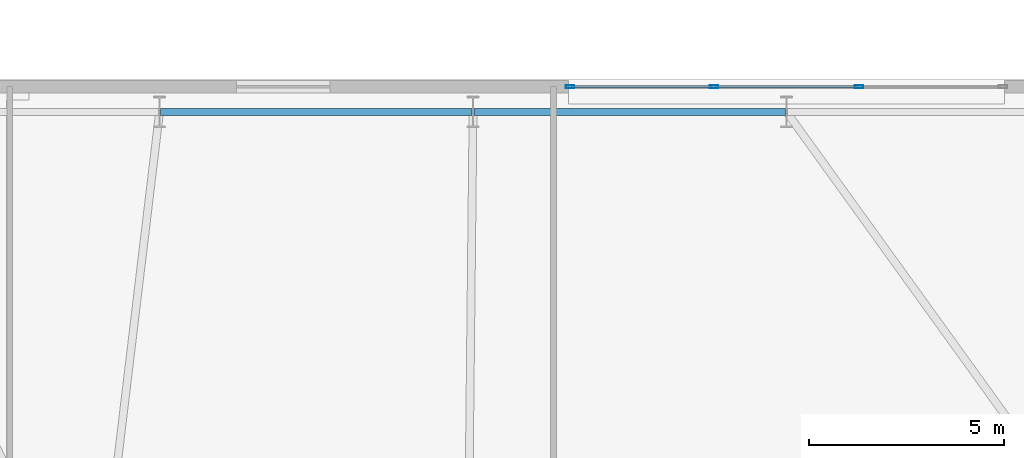
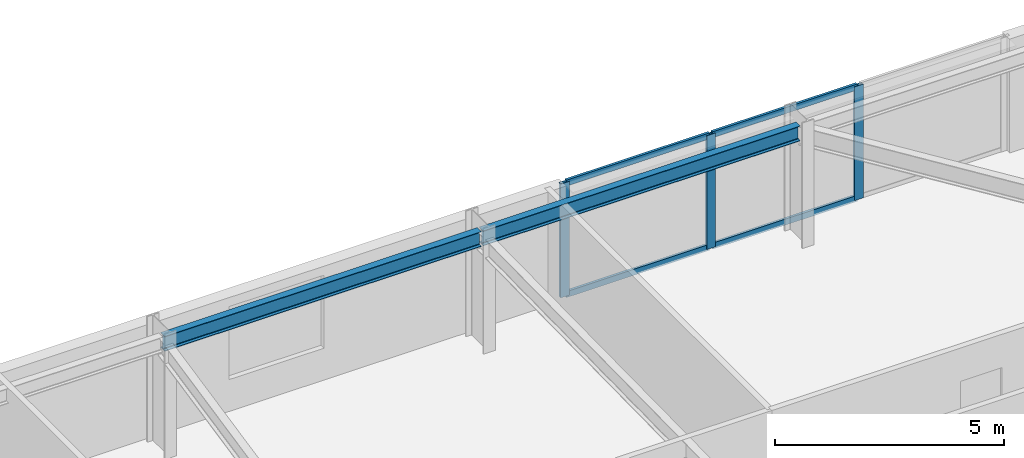
# One storey, part 8 of 18: 7 members, 2 beams, 1 element without a shape of its own.
"""IFC4 building model written with IfcOpenShell, lengths in metres."""

from ifc_helpers import new_model, si_unit, direction, frame, origin, origin_2d, place, context, subcontext, project, spatial, hollow_rectangle, i_section, extrude, material, layer, layer_set, material_profile, profile_set, type_object, element, aggregate, save


model = new_model("IFC4")

# Units and contexts
model_context = context("Model", 3, precision=1e-05, world=origin(), true_north=direction((0.0, 1.0)))
body_context = subcontext(model_context, "Body", "Model", "MODEL_VIEW")
ifc_project = project(units=[si_unit("LENGTHUNIT", "METRE"), si_unit("AREAUNIT", "SQUARE_METRE"), si_unit("VOLUMEUNIT", "CUBIC_METRE"), si_unit("PLANEANGLEUNIT", "RADIAN"), si_unit("MASSUNIT", "GRAM", prefix="KILO")], contexts=[model_context])

# Site, building, storey
site_placement = place(None, origin())
site = spatial("IfcSite", under=ifc_project, at=site_placement, CompositionType="ELEMENT")
building_placement = place(site_placement, origin())
building = spatial("IfcBuilding", under=site, at=building_placement, Name="Qobustan Lattice House", CompositionType="ELEMENT")
storey_placement = place(building_placement, frame((0.0, 0.0, 151.10009765625)))
storey = spatial("IfcBuildingStorey", under=building, at=storey_placement, Name="L42", CompositionType="ELEMENT", Elevation=151.10009765625)

# Beams
ifc_material_1 = material(Name="Steel S355", Category="steel")
ifc_material_profile_1 = material_profile(ifc_material_1, i_section(OverallWidth=0.179931640625, OverallDepth=0.39990234375, WebThickness=0.008544921875, FlangeThickness=0.013427734375, FilletRadius=0.02099609375, at=origin_2d()), Name="IPE400")
ifc_profile_set_1 = profile_set([ifc_material_profile_1], Name="Steel S355")
beam_type = type_object("IfcBeamType", Name="BM-SPD-IPE400", PredefinedType="SPANDREL", material=ifc_profile_set_1)
for number, where, z_axis, x_axis, name in (
    (1, (-1.02490234375, 19.75, 2.83984375), (-1.0, 0.0, 0.0), (0.0, -1.0, 0.0), "L42 perimeter spandrel N4-N5"),
    (2, (-9.074951171875, 19.75, 2.83984375), (-1.0, 0.0, 0.0), (0.0, -1.0, 0.0), "L42 perimeter spandrel N5-N6"),
):
    element("IfcBeam", number, at=place(storey_placement, frame(where, z_axis=z_axis, x_axis=x_axis)), inside=storey, type_object=beam_type, Name=name, PredefinedType="SPANDREL", context=body_context, shape_type="SweptSolid", body=[
        extrude(i_section(OverallWidth=0.179931640625, OverallDepth=0.39990234375, WebThickness=0.008544921875, FlangeThickness=0.013427734375, FilletRadius=0.02099609375, at=origin_2d()), origin(), (0.0, 0.0, 1.0), 8.0),
    ])

# Curtain wall, members
ifc_material_2 = material(Name="Anodised aluminium and low-E glazing", Category="aluminium")
ifc_layer = layer(ifc_material_2, 0.219970703125)
ifc_layer_set = layer_set([ifc_layer], Name="Anodised aluminium and low-E glazing")
curtain_wall_type = type_object("IfcCurtainWallType", Name="CW-IWN-01", PredefinedType="USERDEFINED", material=ifc_layer_set)
curtain_wall_placement = place(storey_placement, origin())
curtain_wall = element("IfcCurtainWall", 3, at=curtain_wall_placement, inside=storey, type_object=curtain_wall_type, Name="L42 IWAN-3 walnut-lined iwan curtain wall", ObjectType="CURTAIN WALL", PredefinedType="USERDEFINED")
ifc_material_3 = material(Name="Anodised aluminium EN AW-6063 T6", Category="aluminium")
ifc_material_profile_2 = material_profile(ifc_material_3, hollow_rectangle(XDim=0.080078125, YDim=0.219970703125, WallThickness=0.0048828125, at=origin_2d()), Name="CWM-220x80")
ifc_profile_set_2 = profile_set([ifc_material_profile_2], Name="Anodised aluminium EN AW-6063 T6")
member_type_1 = type_object("IfcMemberType", Name="CWM-MAIN-220", PredefinedType="MULLION", material=ifc_profile_set_2)
member_1_placement = place(storey_placement, frame((-6.56005859375, 20.39990234375, 0.0), z_axis=(0.0, 0.0, 1.0), x_axis=(0.0, 1.0, 0.0)))
member_1 = element("IfcMember", 4, at=member_1_placement, type_object=member_type_1, Name="CW-IW mullion 1", PredefinedType="MULLION", context=body_context, shape_type="SweptSolid", body=[
    extrude(hollow_rectangle(XDim=0.080078125, YDim=0.219970703125, WallThickness=0.0048828125, at=origin_2d()), origin(), (0.0, 0.0, 1.0), 3.039794921875),
])
member_2_placement = place(storey_placement, frame((-2.86669921875, 20.39990234375, 0.0), z_axis=(0.0, 0.0, 1.0), x_axis=(0.0, 1.0, 0.0)))
member_2 = element("IfcMember", 5, at=member_2_placement, type_object=member_type_1, Name="CW-IW mullion 2", PredefinedType="MULLION", context=body_context, shape_type="SweptSolid", body=[
    extrude(hollow_rectangle(XDim=0.080078125, YDim=0.219970703125, WallThickness=0.0048828125, at=origin_2d()), origin(), (0.0, 0.0, 1.0), 3.039794921875),
])
member_3_placement = place(storey_placement, frame((0.86669921875, 20.39990234375, 0.0), z_axis=(0.0, 0.0, 1.0), x_axis=(0.0, 1.0, 0.0)))
member_3 = element("IfcMember", 6, at=member_3_placement, type_object=member_type_1, Name="CW-IW mullion 3", PredefinedType="MULLION", context=body_context, shape_type="SweptSolid", body=[
    extrude(hollow_rectangle(XDim=0.080078125, YDim=0.219970703125, WallThickness=0.0048828125, at=origin_2d()), origin(), (0.0, 0.0, 1.0), 3.039794921875),
])
ifc_material_4 = material(Name="Anodised aluminium EN AW-6063 T6", Category="aluminium")
ifc_material_profile_3 = material_profile(ifc_material_4, hollow_rectangle(XDim=0.06494140625, YDim=0.159912109375, WallThickness=0.00390625, at=origin_2d()), Name="CWT-160x65")
ifc_profile_set_3 = profile_set([ifc_material_profile_3], Name="Anodised aluminium EN AW-6063 T6")
member_type_2 = type_object("IfcMemberType", Name="CWT-HOR-160", PredefinedType="USERDEFINED", material=ifc_profile_set_3)
member_4_placement = place(storey_placement, frame((-6.52001953125, 20.39990234375, 0.032470703125), z_axis=(1.0, 0.0, 0.0), x_axis=(0.0, 1.0, 0.0)))
member_4 = element("IfcMember", 7, at=member_4_placement, type_object=member_type_2, Name="CW-IW transom 1.1", ObjectType="TRANSOM", PredefinedType="USERDEFINED", context=body_context, shape_type="SweptSolid", body=[
    extrude(hollow_rectangle(XDim=0.06494140625, YDim=0.159912109375, WallThickness=0.00390625, at=origin_2d()), origin(), (0.0, 0.0, 1.0), 3.61328125),
])
member_5_placement = place(storey_placement, frame((-6.52001953125, 20.39990234375, 3.00732421875), z_axis=(1.0, 0.0, 0.0), x_axis=(0.0, 1.0, 0.0)))
member_5 = element("IfcMember", 8, at=member_5_placement, type_object=member_type_2, Name="CW-IW transom 1.2", ObjectType="TRANSOM", PredefinedType="USERDEFINED", context=body_context, shape_type="SweptSolid", body=[
    extrude(hollow_rectangle(XDim=0.06494140625, YDim=0.159912109375, WallThickness=0.00390625, at=origin_2d()), origin(), (0.0, 0.0, 1.0), 3.61328125),
])
member_6_placement = place(storey_placement, frame((-2.82666015625, 20.39990234375, 0.032470703125), z_axis=(1.0, 0.0, 0.0), x_axis=(0.0, 1.0, 0.0)))
member_6 = element("IfcMember", 9, at=member_6_placement, type_object=member_type_2, Name="CW-IW transom 2.1", ObjectType="TRANSOM", PredefinedType="USERDEFINED", context=body_context, shape_type="SweptSolid", body=[
    extrude(hollow_rectangle(XDim=0.06494140625, YDim=0.159912109375, WallThickness=0.00390625, at=origin_2d()), origin(), (0.0, 0.0, 1.0), 3.6533203125),
])
member_7_placement = place(storey_placement, frame((-2.82666015625, 20.39990234375, 3.00732421875), z_axis=(1.0, 0.0, 0.0), x_axis=(0.0, 1.0, 0.0)))
member_7 = element("IfcMember", 10, at=member_7_placement, type_object=member_type_2, Name="CW-IW transom 2.2", ObjectType="TRANSOM", PredefinedType="USERDEFINED", context=body_context, shape_type="SweptSolid", body=[
    extrude(hollow_rectangle(XDim=0.06494140625, YDim=0.159912109375, WallThickness=0.00390625, at=origin_2d()), origin(), (0.0, 0.0, 1.0), 3.6533203125),
])
aggregate(curtain_wall, [member_1, member_2, member_3, member_4, member_5, member_6, member_7])

save(model, "model.ifc")
